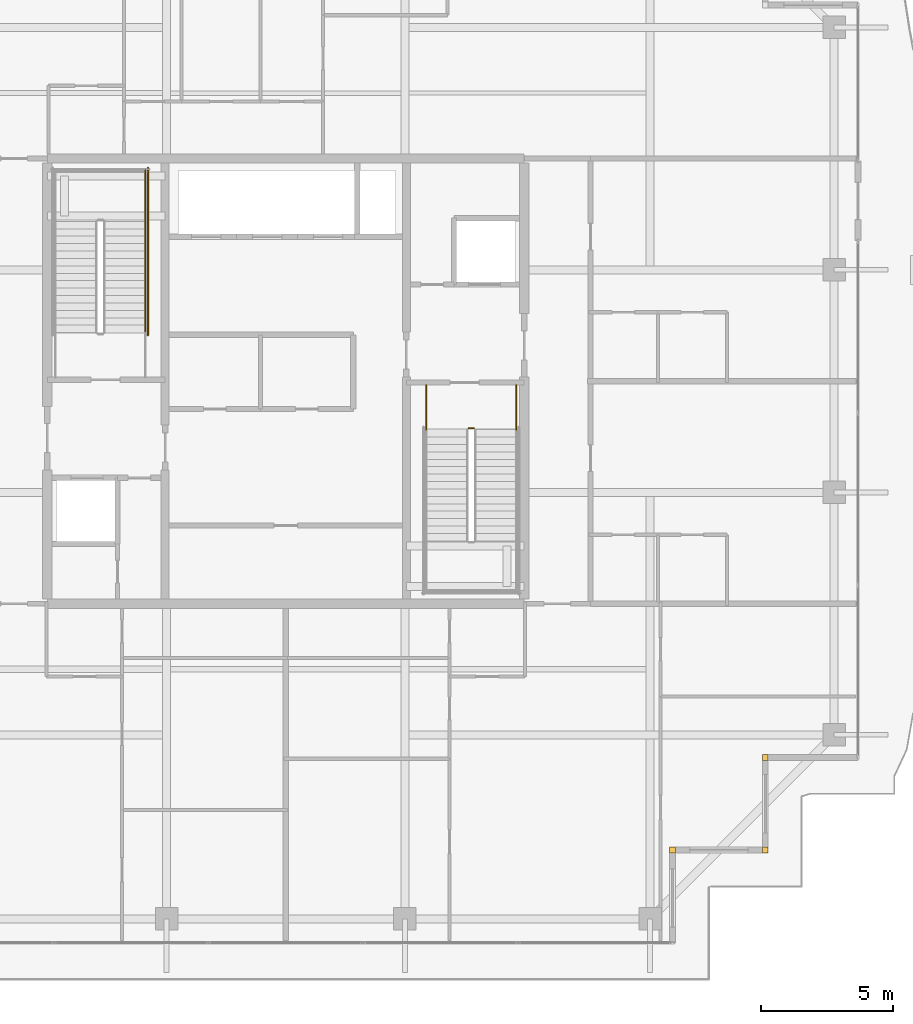
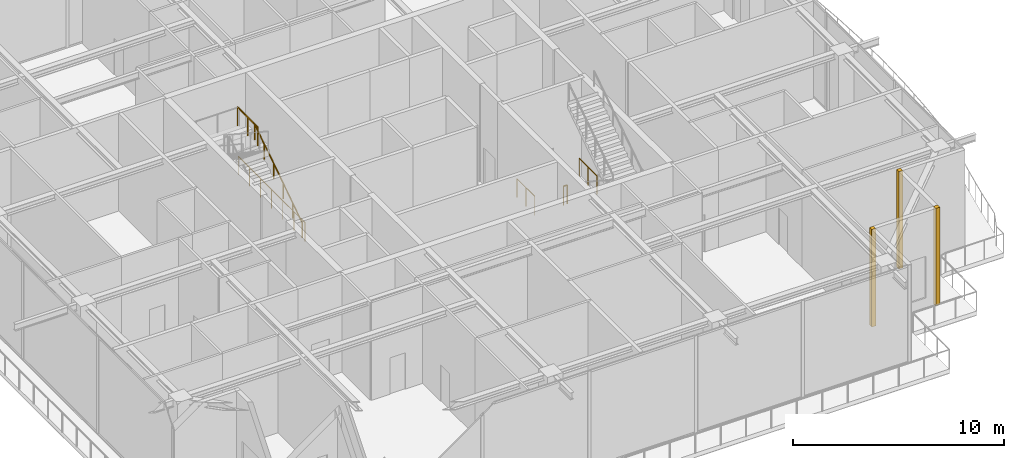
# One storey, part 39 of 40: 6 railings, 3 coverings.
"""IFC4 building model written with IfcOpenShell, lengths in metres."""

import ifcopenshell
import ifcopenshell.guid

model = None  # the IFC model being written
_history = None  # IfcOwnerHistory: only IFC2X3 demands one
_inside = {}  # id of a spatial element -> (the spatial element, [elements in it])
_under = {}  # id of a project, library or spatial element -> (it, [spatial elements below it])
_declared = {}  # id of a project -> (the project, [libraries it declares])
_typed = {}  # id of a type object -> (the type object, [elements of that type])
_made_of = {}  # id of a material, layer set ... -> (it, [elements and type objects made of it])


def new_model(schema):
    """Start an empty IFC model of exactly this schema.

    Asked for "IFC4X3", IfcOpenShell would pick the latest addendum, in which some entities
    have other attributes; the version numbers below select the first issue.
    IFC2X3 requires an IfcOwnerHistory on every rooted entity: one is made here for all.
    """
    global model, _history
    if schema == "IFC4X3":
        model = ifcopenshell.file(schema_version=(4, 3, 0, 0))
    else:
        model = ifcopenshell.file(schema=schema)
    _inside.clear()
    _under.clear()
    _declared.clear()
    _typed.clear()
    _made_of.clear()
    _history = None
    if model.schema == "IFC2X3":
        org = make("IfcOrganization", Name="unknown")
        user = make(
            "IfcPersonAndOrganization",
            ThePerson=make("IfcPerson", FamilyName="unknown"),
            TheOrganization=org,
        )
        app = make(
            "IfcApplication",
            ApplicationDeveloper=org,
            Version="unknown",
            ApplicationFullName="unknown",
            ApplicationIdentifier="unknown",
        )
        _history = make(
            "IfcOwnerHistory",
            OwningUser=user,
            OwningApplication=app,
            ChangeAction="ADDED",
            CreationDate=0,
        )
    return model


def make(cls, **values):
    """One entity of the class cls with the attributes given. An attribute that is None is left unset."""
    return model.create_entity(
        cls, **{name: value for name, value in values.items() if value is not None}
    )


def rooted(cls, **values):
    """An entity with a GlobalId (a new one), such as an element, a storey or a relation."""
    return make(cls, GlobalId=ifcopenshell.guid.new(), OwnerHistory=_history, **values)


def si_unit(unit_type, name, prefix=None):
    """IfcSIUnit, for example si_unit("LENGTHUNIT", "METRE", prefix="MILLI")."""
    return make("IfcSIUnit", UnitType=unit_type, Prefix=prefix, Name=name)


def assignment(units):
    """IfcUnitAssignment: the units of a project."""
    return None if units is None else make("IfcUnitAssignment", Units=units)


def point(xyz):
    """IfcCartesianPoint."""
    return None if xyz is None else make("IfcCartesianPoint", Coordinates=xyz)


def direction(xyz):
    """IfcDirection."""
    return None if xyz is None else make("IfcDirection", DirectionRatios=xyz)


def frame(location, z_axis=None, x_axis=None):
    """IfcAxis2Placement3D, a coordinate frame: its origin and axes. An axis left out is left unset."""
    return make(
        "IfcAxis2Placement3D",
        Location=point(location),
        Axis=direction(z_axis),
        RefDirection=direction(x_axis),
    )


def frame_2d(location, x_axis=None):
    """IfcAxis2Placement2D, a coordinate frame in the plane: its origin and x axis."""
    return make(
        "IfcAxis2Placement2D", Location=point(location), RefDirection=direction(x_axis)
    )


def origin():
    """The frame at (0, 0, 0) with its axes left unset."""
    return frame((0.0, 0.0, 0.0))


def origin_2d():
    """The frame at (0, 0) in the plane with its x axis left unset."""
    return frame_2d((0.0, 0.0))


def place(relative_to, where):
    """IfcLocalPlacement: puts the frame where relative to a parent placement (None: the world)."""
    return make(
        "IfcLocalPlacement", PlacementRelTo=relative_to, RelativePlacement=where
    )


def context(
    kind, dimensions, precision=None, world=None, true_north=None, identifier=None
):
    """IfcGeometricRepresentationContext, for example the 3D "Model" context."""
    return make(
        "IfcGeometricRepresentationContext",
        ContextIdentifier=identifier,
        ContextType=kind,
        CoordinateSpaceDimension=dimensions,
        Precision=precision,
        WorldCoordinateSystem=world,
        TrueNorth=true_north,
    )


def subcontext(parent, identifier, kind, view, scale=None):
    """IfcGeometricRepresentationSubContext, for example "Body" below "Model"."""
    return make(
        "IfcGeometricRepresentationSubContext",
        ContextIdentifier=identifier,
        ContextType=kind,
        ParentContext=parent,
        TargetScale=scale,
        TargetView=view,
    )


def project(units=None, contexts=None):
    """IfcProject with its units and contexts."""
    return rooted(
        "IfcProject",
        Name="project",
        RepresentationContexts=contexts,
        UnitsInContext=assignment(units),
    )


def spatial(cls, under=None, at=None, **own):
    """A site, building, storey or space (cls), placed at a placement, below another one or the project."""
    s = rooted(cls, ObjectPlacement=at, **own)
    if under is not None:
        _under.setdefault(under.id(), (under, []))[1].append(s)
    return s


def profile(cls, at=None, kind="AREA", **sizes):
    """A parametric profile (cls). Its sizes go by their IFC names, for example OverallWidth=200.0."""
    return make(cls, ProfileType=kind, Position=at, **sizes)


def rectangle(**sizes):
    """IfcRectangleProfileDef."""
    return profile("IfcRectangleProfileDef", **sizes)


def circle(**sizes):
    """IfcCircleProfileDef."""
    return profile("IfcCircleProfileDef", **sizes)


def extrude(swept, where, along, depth):
    """IfcExtrudedAreaSolid: the profile swept, set in the frame where, extruded along a direction by depth."""
    return make(
        "IfcExtrudedAreaSolid",
        SweptArea=swept,
        Position=where,
        ExtrudedDirection=direction(along),
        Depth=depth,
    )


def shape(context_of_items, identifier, shape_type, items):
    """IfcShapeRepresentation: the items that make up one representation, for example the "Body"."""
    return make(
        "IfcShapeRepresentation",
        ContextOfItems=context_of_items,
        RepresentationIdentifier=identifier,
        RepresentationType=shape_type,
        Items=items,
    )


def source(mapping_origin, context_of_items, identifier, shape_type, items):
    """IfcRepresentationMap: a shape defined once, which mapped items show again and again."""
    return make(
        "IfcRepresentationMap",
        MappingOrigin=mapping_origin,
        MappedRepresentation=shape(context_of_items, identifier, shape_type, items),
    )


def transform(
    local_origin,
    x_axis=None,
    y_axis=None,
    z_axis=None,
    scale=None,
    scale2=None,
    scale3=None,
    uniform=True,
):
    """IfcCartesianTransformationOperator3D, or its non-uniform kind. x_axis, y_axis, z_axis: its Axis1, 2, 3."""
    if uniform:
        return make(
            "IfcCartesianTransformationOperator3D",
            Axis1=direction(x_axis),
            Axis2=direction(y_axis),
            LocalOrigin=point(local_origin),
            Scale=scale,
            Axis3=direction(z_axis),
        )
    return make(
        "IfcCartesianTransformationOperator3DnonUniform",
        Axis1=direction(x_axis),
        Axis2=direction(y_axis),
        LocalOrigin=point(local_origin),
        Scale=scale,
        Axis3=direction(z_axis),
        Scale2=scale2,
        Scale3=scale3,
    )


def mapped(mapping_source, mapping_target):
    """IfcMappedItem: shows the shape of a source again, moved by a transform."""
    return make(
        "IfcMappedItem", MappingSource=mapping_source, MappingTarget=mapping_target
    )


def material(Name=None, Category=None):
    """IfcMaterial."""
    return make("IfcMaterial", Name=Name, Category=Category)


def layer(
    of_material, thickness, ventilated=None, Name=None, Category=None, Priority=None
):
    """IfcMaterialLayer: one layer of a wall or slab, of a material (None: an air gap)."""
    return make(
        "IfcMaterialLayer",
        Material=of_material,
        LayerThickness=thickness,
        IsVentilated=ventilated,
        Name=Name,
        Category=Category,
        Priority=Priority,
    )


def layer_set(layers, Name=None):
    """IfcMaterialLayerSet."""
    return make("IfcMaterialLayerSet", MaterialLayers=layers, LayerSetName=Name)


def made_of(thing, what):
    """Note that an element or type object is made of a material, layer set ...; save() writes the relation."""
    if what is not None:
        _made_of.setdefault(what.id(), (what, []))[1].append(thing)
    return thing


def type_object(cls, material=None, **own):
    """A type object (cls), such as IfcWallType, which elements share."""
    return made_of(rooted(cls, **own), material)


def element(
    cls,
    number,
    at=None,
    inside=None,
    cuts=None,
    type_object=None,
    material=None,
    context=None,
    identifier="Body",
    shape_type=None,
    held_by="IfcProductDefinitionShape",
    body=None,
    shapes=None,
    **own,
):
    """One element of the class cls, such as IfcWall. Its Tag is "e" and its number.

    at: its placement. inside: the storey or other place that contains it. cuts: it is an
    opening in that element (IfcRelVoidsElement). A single representation is given by context,
    identifier, shape_type and body (its items); several are given by shapes. held_by: the class
    of the entity that holds the representations. save() writes the other relations.
    """
    e = rooted(cls, Tag="e%d" % number, ObjectPlacement=at, **own)
    if body is not None:
        shapes = [shape(context, identifier, shape_type, body)]
    if shapes is not None:
        e.Representation = make(held_by, Representations=shapes)
    if inside is not None:
        _inside.setdefault(inside.id(), (inside, []))[1].append(e)
    if cuts is not None:
        rooted(
            "IfcRelVoidsElement", RelatingBuildingElement=cuts, RelatedOpeningElement=e
        )
    if type_object is not None:
        _typed.setdefault(type_object.id(), (type_object, []))[1].append(e)
    return made_of(e, material)


def aggregate(whole, parts):
    """IfcRelAggregates: a whole, such as a stair, and the parts it consists of."""
    return rooted("IfcRelAggregates", RelatingObject=whole, RelatedObjects=parts)


def save(model, path):
    """Write the relations noted so far, then the file.

    IfcRelAggregates (storeys below a building ...), IfcRelContainedInSpatialStructure (elements
    in a storey), IfcRelDefinesByType, IfcRelAssociatesMaterial and IfcRelDeclares: one each for
    every whole, place, type object, material and project.
    """
    for whole, parts in _under.values():
        aggregate(whole, parts)
    for where, things in _inside.values():
        rooted(
            "IfcRelContainedInSpatialStructure",
            RelatedElements=things,
            RelatingStructure=where,
        )
    for kind, things in _typed.values():
        rooted("IfcRelDefinesByType", RelatedObjects=things, RelatingType=kind)
    for what, things in _made_of.values():
        rooted("IfcRelAssociatesMaterial", RelatedObjects=things, RelatingMaterial=what)
    for by, libraries in _declared.values():
        rooted("IfcRelDeclares", RelatingContext=by, RelatedDefinitions=libraries)
    model.write(path)


model = new_model("IFC4")

# Units and contexts
model_context = context("Model", 3, precision=1e-05, world=origin(), true_north=direction((0.0, 1.0)))
body_context = subcontext(model_context, "Body", "Model", "MODEL_VIEW")
ifc_project = project(units=[si_unit("LENGTHUNIT", "METRE"), si_unit("AREAUNIT", "SQUARE_METRE"), si_unit("VOLUMEUNIT", "CUBIC_METRE"), si_unit("PLANEANGLEUNIT", "RADIAN"), si_unit("MASSUNIT", "GRAM", prefix="KILO")], contexts=[model_context])

# Site, building, storey
site_placement = place(None, origin())
site = spatial("IfcSite", under=ifc_project, at=site_placement, CompositionType="ELEMENT")
building_placement = place(site_placement, origin())
building = spatial("IfcBuilding", under=site, at=building_placement, Name="Serunith Strait Residences", CompositionType="ELEMENT")
storey_placement = place(building_placement, frame((0.0, 0.0, 347.949951171875)))
storey = spatial("IfcBuildingStorey", under=building, at=storey_placement, Name="L86", CompositionType="ELEMENT", Elevation=347.949951171875)

# Railings
ifc_material_1 = material(Name="Brushed stainless steel 316L", Category="steel")
railing_type_1 = type_object("IfcRailingType", Name="RLG-STAIR-GUARD", PredefinedType="BALUSTRADE", material=ifc_material_1)
railing_1_placement = place(storey_placement, frame((27.10009765625, 31.22998046875, 2.949951171875)))
element("IfcRailing", 1, at=railing_1_placement, inside=storey, type_object=railing_type_1, Name="L86 ST-1 stair guard 3", PredefinedType="BALUSTRADE", context=body_context, shape_type="SweptSolid", body=[
    extrude(circle(Radius=0.02392578125, at=origin_2d()), frame((0.0, 0.001953125, 1.076171875), z_axis=(0.0, 1.0, 0.0), x_axis=(-1.0, 0.0, 0.0)), (0.0, 0.0, 1.0), 1.916015625),
    extrude(circle(Radius=0.02099609375, at=origin_2d()), origin(), (0.0, 0.0, 1.0), 1.050048828125),
    extrude(circle(Radius=0.02099609375, at=origin_2d()), frame((0.0, 0.9599609375, 0.0)), (0.0, 0.0, 1.0), 1.050048828125),
    extrude(circle(Radius=0.02099609375, at=origin_2d()), frame((0.0, 1.919921875, 0.0)), (0.0, 0.0, 1.0), 1.050048828125),
])
railing_2_placement = place(storey_placement, frame((27.199951171875, 26.929931640625, 0.0)))
element("IfcRailing", 2, at=railing_2_placement, inside=storey, type_object=railing_type_1, Name="L86 ST-1 stair guard 10", PredefinedType="BALUSTRADE", context=body_context, shape_type="SweptSolid", body=[
    extrude(circle(Radius=0.02392578125, at=origin_2d()), frame((0.0, 0.001953125, 1.076171875), z_axis=(0.0, 1.0, 0.0), x_axis=(-1.0, 0.0, 0.0)), (0.0, 0.0, 1.0), 6.316162109375),
    extrude(circle(Radius=0.02099609375, at=origin_2d()), origin(), (0.0, 0.0, 1.0), 1.050048828125),
    extrude(circle(Radius=0.02099609375, at=origin_2d()), frame((0.0, 1.05322265625, 0.0)), (0.0, 0.0, 1.0), 1.050048828125),
    extrude(circle(Radius=0.02099609375, at=origin_2d()), frame((0.0, 2.106689453125, 0.0)), (0.0, 0.0, 1.0), 1.050048828125),
    extrude(circle(Radius=0.02099609375, at=origin_2d()), frame((0.0, 3.16015625, 0.0)), (0.0, 0.0, 1.0), 1.050048828125),
    extrude(circle(Radius=0.02099609375, at=origin_2d()), frame((0.0, 4.21337890625, 0.0)), (0.0, 0.0, 1.0), 1.050048828125),
    extrude(circle(Radius=0.02099609375, at=origin_2d()), frame((0.0, 5.2666015625, 0.0)), (0.0, 0.0, 1.0), 1.050048828125),
    extrude(circle(Radius=0.02099609375, at=origin_2d()), frame((0.0, 6.320068359375, 0.0)), (0.0, 0.0, 1.0), 1.050048828125),
])
railing_3_placement = place(storey_placement, frame((39.300048828125, 23.419921875, 0.0)))
element("IfcRailing", 3, at=railing_3_placement, inside=storey, type_object=railing_type_1, Name="L86 ST-2 stair guard 7", PredefinedType="BALUSTRADE", context=body_context, shape_type="SweptSolid", body=[
    extrude(circle(Radius=0.02392578125, at=origin_2d()), frame((0.001953125, 0.0, 1.076171875), z_axis=(1.0, 0.0, 0.0), x_axis=(0.0, 1.0, 0.0)), (0.0, 0.0, 1.0), 0.196044921875),
    extrude(circle(Radius=0.02099609375, at=origin_2d()), origin(), (0.0, 0.0, 1.0), 1.050048828125),
    extrude(circle(Radius=0.02099609375, at=origin_2d()), frame((0.199951171875, 0.0, 0.0)), (0.0, 0.0, 1.0), 1.050048828125),
])
for number, where, name in (
    (4, (37.699951171875, 25.050048828125, 0.0), "L86 ST-2 stair guard 8"),
    (5, (41.10009765625, 25.050048828125, 0.0), "L86 ST-2 stair guard 9"),
):
    element("IfcRailing", number, at=place(storey_placement, frame(where)), inside=storey, type_object=railing_type_1, Name=name, PredefinedType="BALUSTRADE", context=body_context, shape_type="SweptSolid", body=[
        extrude(circle(Radius=0.02392578125, at=origin_2d()), frame((0.0, -0.001953125, 1.076171875), z_axis=(0.0, -1.0, 0.0), x_axis=(1.0, 0.0, 0.0)), (0.0, 0.0, 1.0), 1.676025390625),
        extrude(circle(Radius=0.02099609375, at=origin_2d()), origin(), (0.0, 0.0, 1.0), 1.050048828125),
        extrude(circle(Radius=0.02099609375, at=origin_2d()), frame((0.0, -0.83984375, 0.0)), (0.0, 0.0, 1.0), 1.050048828125),
        extrude(circle(Radius=0.02099609375, at=origin_2d()), frame((0.0, -1.679931640625, 0.0)), (0.0, 0.0, 1.0), 1.050048828125),
    ])
railing_type_2 = type_object("IfcRailingType", Name="RLG-STAIR-HR", PredefinedType="HANDRAIL", material=ifc_material_1)
railing_4_placement = place(storey_placement, frame((27.10009765625, 27.030029296875, 0.184326171875)))
element("IfcRailing", 6, at=railing_4_placement, inside=storey, type_object=railing_type_2, Name="L86 ST-1 stair handrail 1", PredefinedType="HANDRAIL", context=body_context, shape_type="SweptSolid", body=[
    extrude(circle(Radius=0.02392578125, at=origin_2d()), frame((0.0, 0.001708984375, 0.876953125), z_axis=(0.0, 0.834755773989, 0.550620375388), x_axis=(-1.0, 0.0, 0.0)), (0.0, 0.0, 1.0), 5.36279296875),
    extrude(circle(Radius=0.02099609375, at=origin_2d()), origin(), (0.0, 0.0, 1.0), 0.849853515625),
    extrude(circle(Radius=0.02099609375, at=origin_2d()), frame((0.0, 0.89599609375, 0.591064453125)), (0.0, 0.0, 1.0), 0.849853515625),
    extrude(circle(Radius=0.02099609375, at=origin_2d()), frame((0.0, 1.7919921875, 1.18212890625)), (0.0, 0.0, 1.0), 0.849853515625),
    extrude(circle(Radius=0.02099609375, at=origin_2d()), frame((0.0, 2.68798828125, 1.77294921875)), (0.0, 0.0, 1.0), 0.849853515625),
    extrude(circle(Radius=0.02099609375, at=origin_2d()), frame((0.0, 3.583984375, 2.364013671875)), (0.0, 0.0, 1.0), 0.849853515625),
    extrude(circle(Radius=0.02099609375, at=origin_2d()), frame((0.0, 4.47998046875, 2.955078125)), (0.0, 0.0, 1.0), 0.849853515625),
])

# Coverings
ifc_material_2 = material(Name="Pale-Champagne Anodised Aluminium", Category="aluminium")
ifc_layer = layer(ifc_material_2, 0.219970703125, Name="Pale-Champagne Anodised Aluminium")
ifc_layer_set = layer_set([ifc_layer], Name="Pale-Champagne Anodised Aluminium")
covering_type = type_object("IfcCoveringType", Name="COV-CORN-TRIM", PredefinedType="CLADDING", material=ifc_layer_set)
shared_shape = source(origin(), body_context, "Body", "SweptSolid", [
    extrude(rectangle(XDim=0.221923828125, YDim=0.221923828125, at=origin_2d()), origin(), (0.0, 0.0, 1.0), 5.625),
])
for number, where, z_axis, x_axis, name in (
    (7, (47.0, 7.5, 0.0), (0.0, 0.0, 1.0), (1.0, 0.0, 0.0), "L86 Girih Serrated Corner Trim Post 02"),
    (8, (50.5, 7.5, 0.0), (0.0, 0.0, 1.0), (1.0, 0.0, 0.0), "L86 Girih Serrated Corner Trim Post 03"),
    (9, (50.5, 11.0, 0.0), (0.0, 0.0, 1.0), (1.0, 0.0, 0.0), "L86 Girih Serrated Corner Trim Post 04"),
):
    element("IfcCovering", number, at=place(storey_placement, frame(where, z_axis=z_axis, x_axis=x_axis)), inside=storey, type_object=covering_type, Name=name, PredefinedType="CLADDING", context=body_context, shape_type="MappedRepresentation", body=[
        mapped(shared_shape, transform((0.0, 0.0, 0.0), scale=1.0)),
    ])

save(model, "model.ifc")
